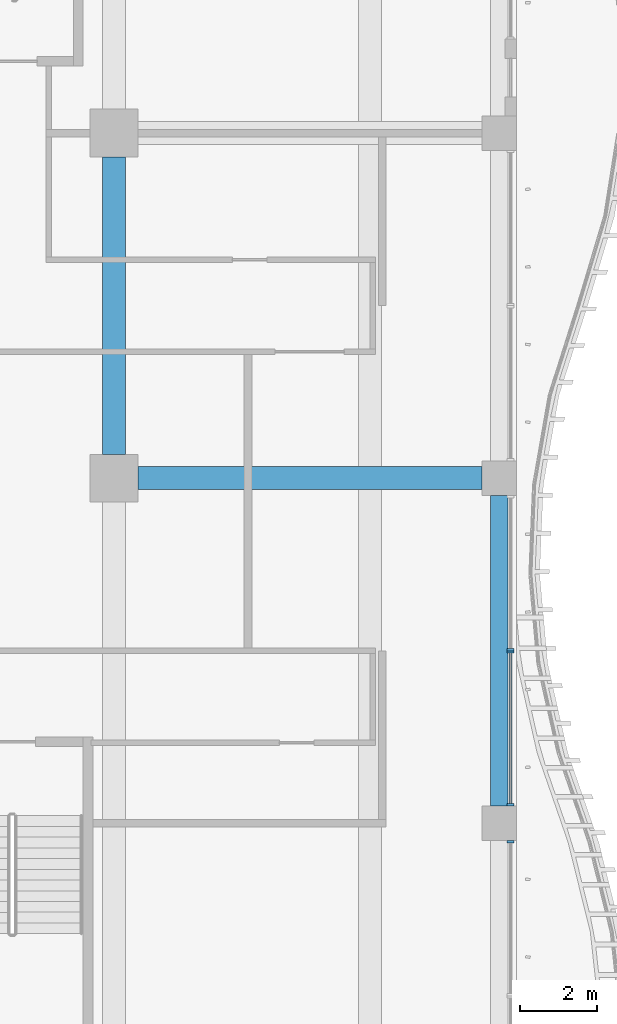
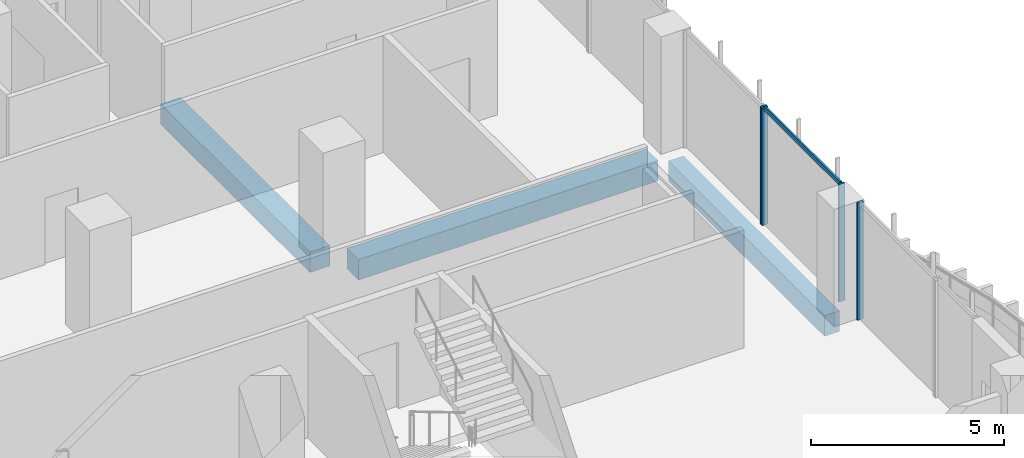
# One storey, part 5 of 27: 5 members, 3 beams, 3 elements without a shape of their own.
"""IFC4 building model written with IfcOpenShell, lengths in metres."""

from ifc_helpers import new_model, si_unit, direction, frame, origin, origin_2d, place, context, subcontext, project, spatial, rectangle, extrude, source, transform, mapped, material, material_profile, profile_set, type_object, element, aggregate, save


model = new_model("IFC4")

# Units and contexts
model_context = context("Model", 3, precision=1e-05, world=origin(), true_north=direction((0.0, 1.0)))
body_context = subcontext(model_context, "Body", "Model", "MODEL_VIEW")
ifc_project = project(units=[si_unit("LENGTHUNIT", "METRE"), si_unit("AREAUNIT", "SQUARE_METRE"), si_unit("VOLUMEUNIT", "CUBIC_METRE"), si_unit("PLANEANGLEUNIT", "RADIAN"), si_unit("MASSUNIT", "GRAM", prefix="KILO")], contexts=[model_context])

# Site, building, storey
site_placement = place(None, origin())
site = spatial("IfcSite", under=ifc_project, at=site_placement, CompositionType="ELEMENT")
building_placement = place(site_placement, origin())
building = spatial("IfcBuilding", under=site, at=building_placement, Name="Kilnfold Tower and Market Hall", CompositionType="ELEMENT")
storey_placement = place(building_placement, frame((0.0, 0.0, 71.199951171875)))
storey = spatial("IfcBuildingStorey", under=building, at=storey_placement, Name="L16", CompositionType="ELEMENT", Elevation=71.199951171875)

# Beams
ifc_material_1 = material(Name="Concrete C45", Category="concrete")
ifc_material_profile_1 = material_profile(ifc_material_1, rectangle(XDim=0.449951171875, YDim=0.64990234375, at=origin_2d()), Name="RC 450x650")
ifc_profile_set_1 = profile_set([ifc_material_profile_1], Name="Concrete C45")
beam_type_1 = type_object("IfcBeamType", Name="EDGE BEAM 450X650 C45", PredefinedType="BEAM", material=ifc_profile_set_1)
shared_shape_1 = source(origin(), body_context, "Body", "SweptSolid", [
    extrude(rectangle(XDim=0.449951171875, YDim=0.64990234375, at=origin_2d()), origin(), (0.0, 0.0, 1.0), 8.10009765625),
])
beam_1_placement = place(storey_placement, frame((32.550048828125, -9.550048828125, -0.60498046875), z_axis=(0.0, 1.0, 0.0), x_axis=(-1.0, 0.0, 0.0)))
element("IfcBeam", 1, at=beam_1_placement, inside=storey, type_object=beam_type_1, Name="Beam EB650-B2.101", PredefinedType="BEAM", context=body_context, shape_type="MappedRepresentation", body=[
    mapped(shared_shape_1, transform((0.0, 0.0, 0.0))),
])
ifc_material_2 = material(Name="Concrete C45", Category="concrete")
ifc_material_profile_2 = material_profile(ifc_material_2, rectangle(XDim=0.60009765625, YDim=0.64990234375, at=origin_2d()), Name="RC 600x650")
ifc_profile_set_2 = profile_set([ifc_material_profile_2], Name="Concrete C45")
beam_type_2 = type_object("IfcBeamType", Name="BEAM 600X650 C45", PredefinedType="BEAM", material=ifc_profile_set_2)
shared_shape_2 = source(origin(), body_context, "Body", "SweptSolid", [
    extrude(rectangle(XDim=0.60009765625, YDim=0.64990234375, at=origin_2d()), origin(), (0.0, 0.0, 1.0), 8.97509765625),
])
beam_2_placement = place(storey_placement, frame((23.125, -1.0, -0.60498046875), z_axis=(1.0, 0.0, 0.0), x_axis=(0.0, 1.0, 0.0)))
element("IfcBeam", 2, at=beam_2_placement, inside=storey, type_object=beam_type_2, Name="Beam BB650-B2.72", PredefinedType="BEAM", context=body_context, shape_type="MappedRepresentation", body=[
    mapped(shared_shape_2, transform((0.0, 0.0, 0.0))),
])
shared_shape_3 = source(origin(), body_context, "Body", "SweptSolid", [
    extrude(rectangle(XDim=0.60009765625, YDim=0.64990234375, at=origin_2d()), origin(), (0.0, 0.0, 1.0), 7.75),
])
beam_3_placement = place(storey_placement, frame((22.5, -0.375, -0.60498046875), z_axis=(0.0, 1.0, 0.0), x_axis=(-1.0, 0.0, 0.0)))
element("IfcBeam", 3, at=beam_3_placement, inside=storey, type_object=beam_type_2, Name="Beam BB650-B2.96", PredefinedType="BEAM", context=body_context, shape_type="MappedRepresentation", body=[
    mapped(shared_shape_3, transform((0.0, 0.0, 0.0))),
])

# Curtain wall, member
ifc_material_3 = material(Name="Aluminium and double glazing", Category="aluminium")
curtain_wall_type = type_object("IfcCurtainWallType", Name="CW OF1 VALLEY GLAZING", PredefinedType="NOTDEFINED", material=ifc_material_3)
curtain_wall_1_placement = place(storey_placement, origin())
curtain_wall_1 = element("IfcCurtainWall", 4, at=curtain_wall_1_placement, inside=storey, type_object=curtain_wall_type, Name="Curtain wall CW1 L16 E", PredefinedType="NOTDEFINED")
ifc_material_4 = material(Name="Aluminium", Category="aluminium")
ifc_material_profile_3 = material_profile(ifc_material_4, rectangle(XDim=0.06005859375, YDim=0.179931640625, at=origin_2d()), Name="MULLION 60x180")
ifc_profile_set_3 = profile_set([ifc_material_profile_3], Name="Aluminium")
member_type_1 = type_object("IfcMemberType", Name="MULLION 60X180", PredefinedType="MULLION", material=ifc_profile_set_3)
shared_shape_4 = source(origin(), body_context, "Body", "SweptSolid", [
    extrude(rectangle(XDim=0.06005859375, YDim=0.179931640625, at=origin_2d()), origin(), (0.0, 0.0, 1.0), 3.719970703125),
])
member_1_placement = place(storey_placement, frame((32.85009765625, -10.47998046875, 0.0), z_axis=(0.0, 0.0, 1.0), x_axis=(0.0, 1.0, 0.0)))
member_1 = element("IfcMember", 5, at=member_1_placement, type_object=member_type_1, Name="CW1 mullion 2", PredefinedType="MULLION", context=body_context, shape_type="MappedRepresentation", body=[
    mapped(shared_shape_4, transform((0.0, 0.0, 0.0))),
])
aggregate(curtain_wall_1, [member_1])

# Curtain wall, members
curtain_wall_2_placement = place(storey_placement, origin())
curtain_wall_2 = element("IfcCurtainWall", 6, at=curtain_wall_2_placement, inside=storey, type_object=curtain_wall_type, Name="Curtain wall CW1 L16 E", PredefinedType="NOTDEFINED")
member_2_placement = place(storey_placement, frame((32.85009765625, -9.52001953125, 0.0), z_axis=(0.0, 0.0, 1.0), x_axis=(0.0, 1.0, 0.0)))
member_2 = element("IfcMember", 7, at=member_2_placement, type_object=member_type_1, Name="CW1 mullion 1", PredefinedType="MULLION", context=body_context, shape_type="MappedRepresentation", body=[
    mapped(shared_shape_4, transform((0.0, 0.0, 0.0))),
])
member_3_placement = place(storey_placement, frame((32.85009765625, -5.530029296875, 0.0), z_axis=(0.0, 0.0, 1.0), x_axis=(0.0, 1.0, 0.0)))
member_3 = element("IfcMember", 8, at=member_3_placement, type_object=member_type_1, Name="CW1 mullion 2", PredefinedType="MULLION", context=body_context, shape_type="MappedRepresentation", body=[
    mapped(shared_shape_4, transform((0.0, 0.0, 0.0))),
])

# Curtain wall, member
curtain_wall_3_placement = place(storey_placement, origin())
curtain_wall_3 = element("IfcCurtainWall", 9, at=curtain_wall_3_placement, inside=storey, type_object=curtain_wall_type, Name="Curtain wall CW1 L16 E", PredefinedType="NOTDEFINED")
member_4_placement = place(storey_placement, frame((32.85009765625, -5.469970703125, 0.0), z_axis=(0.0, 0.0, 1.0), x_axis=(0.0, 1.0, 0.0)))
member_4 = element("IfcMember", 10, at=member_4_placement, type_object=member_type_1, Name="CW1 mullion 1", PredefinedType="MULLION", context=body_context, shape_type="MappedRepresentation", body=[
    mapped(shared_shape_4, transform((0.0, 0.0, 0.0))),
])
aggregate(curtain_wall_3, [member_4])

# Member
ifc_material_5 = material(Name="Aluminium", Category="aluminium")
ifc_material_profile_4 = material_profile(ifc_material_5, rectangle(XDim=0.06005859375, YDim=0.139892578125, at=origin_2d()), Name="TRANSOM 60x140")
ifc_profile_set_4 = profile_set([ifc_material_profile_4], Name="Aluminium")
member_type_2 = type_object("IfcMemberType", Name="TRANSOM 60X140", PredefinedType="USERDEFINED", material=ifc_profile_set_4)
shared_shape_5 = source(origin(), body_context, "Body", "SweptSolid", [
    extrude(rectangle(XDim=0.06005859375, YDim=0.139892578125, at=origin_2d()), origin(), (0.0, 0.0, 1.0), 3.929931640625),
])
member_5_placement = place(storey_placement, frame((32.85009765625, -9.489990234375, 3.68994140625), z_axis=(0.0, 1.0, 0.0), x_axis=(-1.0, 0.0, 0.0)))
member_5 = element("IfcMember", 11, at=member_5_placement, type_object=member_type_2, Name="CW1 transom 1.2", ObjectType="TRANSOM", PredefinedType="USERDEFINED", context=body_context, shape_type="MappedRepresentation", body=[
    mapped(shared_shape_5, transform((0.0, 0.0, 0.0))),
])

aggregate(curtain_wall_2, [member_2, member_3, member_5])

save(model, "model.ifc")
